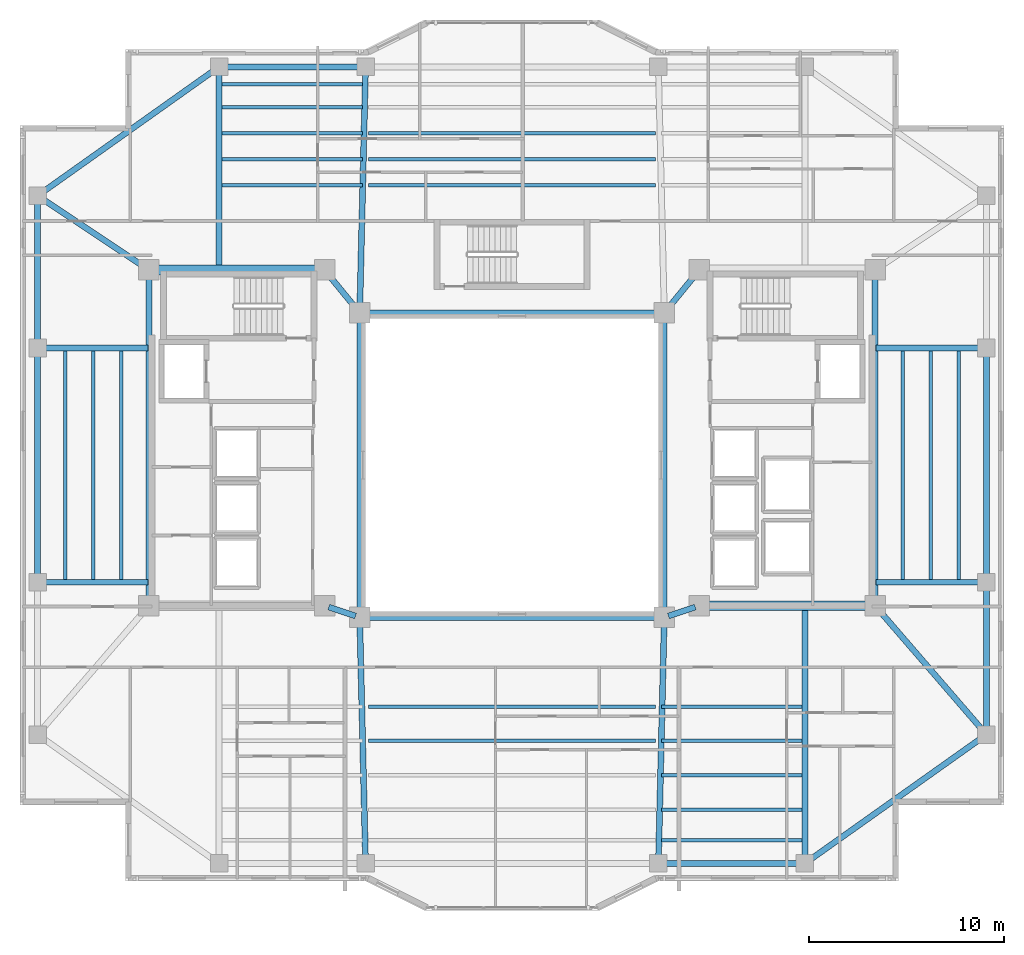
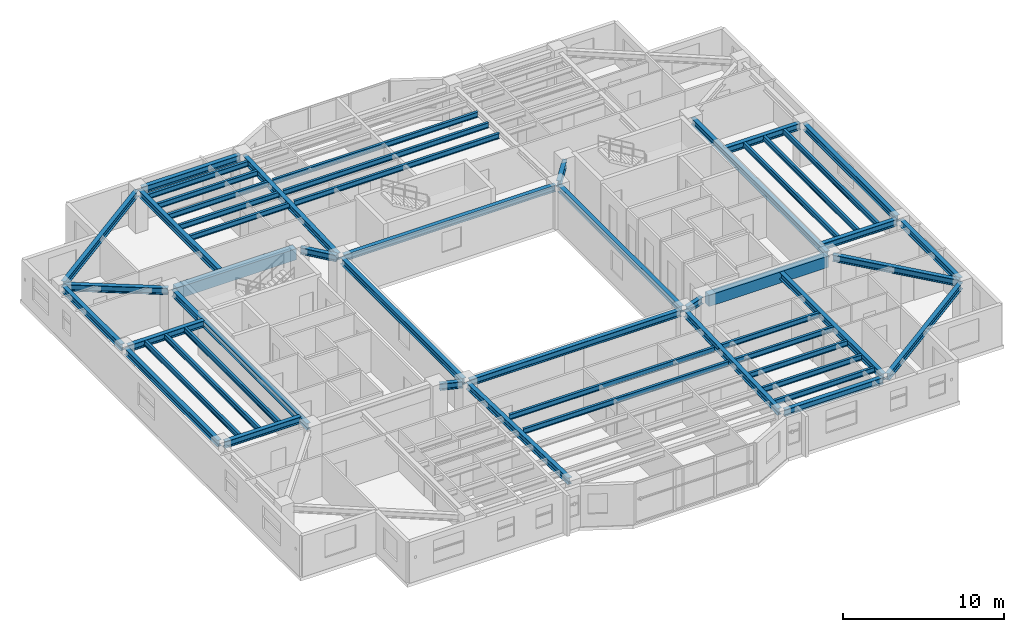
# One storey, part 3 of 15: 52 beams.
"""IFC4 building model written with IfcOpenShell, lengths in metres."""

from ifc_helpers import new_model, si_unit, direction, frame, origin, origin_2d, place, context, subcontext, project, spatial, rectangle, i_section, extrude, material, material_profile, profile_set, type_object, element, save


model = new_model("IFC4")

# Units and contexts
model_context = context("Model", 3, precision=1e-05, world=origin(), true_north=direction((0.0, 1.0)))
body_context = subcontext(model_context, "Body", "Model", "MODEL_VIEW")
ifc_project = project(units=[si_unit("LENGTHUNIT", "METRE"), si_unit("AREAUNIT", "SQUARE_METRE"), si_unit("VOLUMEUNIT", "CUBIC_METRE"), si_unit("PLANEANGLEUNIT", "RADIAN"), si_unit("MASSUNIT", "GRAM", prefix="KILO")], contexts=[model_context])

# Site, building, storey
site_placement = place(None, origin())
site = spatial("IfcSite", under=ifc_project, at=site_placement, CompositionType="ELEMENT")
building_placement = place(site_placement, origin())
building = spatial("IfcBuilding", under=site, at=building_placement, Name="Tarnavaz Court Tower", CompositionType="ELEMENT")
storey_placement = place(building_placement, frame((0.0, 0.0, 162.75)))
storey = spatial("IfcBuildingStorey", under=building, at=storey_placement, Name="L44", CompositionType="ELEMENT", Elevation=162.75)

# Beams
ifc_material_1 = material(Name="Concrete C50/60", Category="concrete")
ifc_material_profile_1 = material_profile(ifc_material_1, rectangle(XDim=0.5, YDim=0.85009765625, at=origin_2d()), Name="RC 500X850")
ifc_profile_set_1 = profile_set([ifc_material_profile_1], Name="Concrete C50/60")
beam_type_1 = type_object("IfcBeamType", Name="BM-CB850", PredefinedType="LINTEL", material=ifc_profile_set_1)
for number, where, z_axis, x_axis, name in (
    (1, (-18.3798828125, 10.0, 2.675048828125), (1.0, 0.0, 0.0), (0.0, 1.0, 0.0), "L44 Beam IN-CW-NO-CW-NI"),
    (2, (18.3798828125, -7.199951171875, 2.675048828125), (-1.0, 0.0, 0.0), (0.0, -1.0, 0.0), "L44 Beam IN-CE-SO-CE-SI"),
):
    element("IfcBeam", number, at=place(storey_placement, frame(where, z_axis=z_axis, x_axis=x_axis)), inside=storey, type_object=beam_type_1, Name=name, PredefinedType="LINTEL", context=body_context, shape_type="SweptSolid", body=[
        extrude(rectangle(XDim=0.5, YDim=0.85009765625, at=origin_2d()), origin(), (0.0, 0.0, 1.0), 8.559814453125),
    ])
ifc_material_2 = material(Name="Steel S355", Category="steel")
ifc_material_profile_2 = material_profile(ifc_material_2, i_section(OverallWidth=0.300048828125, OverallDepth=0.5, WebThickness=0.014404296875, FlangeThickness=0.028076171875, FilletRadius=0.027099609375, at=origin_2d()), Name="HEB 500")
ifc_profile_set_2 = profile_set([ifc_material_profile_2], Name="Steel S355")
beam_type_2 = type_object("IfcBeamType", Name="BM-G-HEB500", PredefinedType="USERDEFINED", material=ifc_profile_set_2)
for number, where, z_axis, x_axis, name in (
    (3, (-9.391357421875, -7.26953125, 2.85009765625), (0.948666544706, -0.316278021615, 0.0), (0.316278021615, 0.948666544706, 0.0), "L44 Beam IN-CW-SI-IW-SW"),
    (4, (9.391357421875, -7.26953125, 2.85009765625), (-0.948666544706, -0.316278021615, 0.0), (0.316278021615, -0.948666544706, 0.0), "L44 Beam IN-CE-SI-IW-SE"),
):
    element("IfcBeam", number, at=place(storey_placement, frame(where, z_axis=z_axis, x_axis=x_axis)), inside=storey, type_object=beam_type_2, Name=name, ObjectType="GIRDER", PredefinedType="USERDEFINED", context=body_context, shape_type="SweptSolid", body=[
        extrude(i_section(OverallWidth=0.300048828125, OverallDepth=0.5, WebThickness=0.014404296875, FlangeThickness=0.028076171875, FilletRadius=0.027099609375, at=origin_2d()), origin(), (0.0, 0.0, 1.0), 1.457275390625),
    ])
for number, where, z_axis, x_axis, name in (
    (5, (-9.460693359375, 9.82958984375, 2.85009765625), (0.633282058357, -0.773921077735, 0.0), (0.773921077735, 0.633282058357, 0.0), "L44 Beam IN-CW-NI-IW-NW"),
    (6, (9.460693359375, 9.82958984375, 2.85009765625), (-0.633282058357, -0.773921077735, 0.0), (0.773921077735, -0.633282058357, 0.0), "L44 Beam IN-CE-NI-IW-NE"),
):
    element("IfcBeam", number, at=place(storey_placement, frame(where, z_axis=z_axis, x_axis=x_axis)), inside=storey, type_object=beam_type_2, Name=name, ObjectType="GIRDER", PredefinedType="USERDEFINED", context=body_context, shape_type="SweptSolid", body=[
        extrude(i_section(OverallWidth=0.300048828125, OverallDepth=0.5, WebThickness=0.014404296875, FlangeThickness=0.028076171875, FilletRadius=0.027099609375, at=origin_2d()), origin(), (0.0, 0.0, 1.0), 2.402587890625),
    ])
for number, where, z_axis, x_axis, name in (
    (7, (-18.60009765625, -6.97998046875, 2.85009765625), (0.0, 1.0, 0.0), (-1.0, 0.0, 0.0), "L44 Beam IN-CW-SO-CW-NO"),
    (8, (18.60009765625, -6.97998046875, 2.85009765625), (0.0, 1.0, 0.0), (-1.0, 0.0, 0.0), "L44 Beam IN-CE-SO-CE-NO"),
):
    element("IfcBeam", number, at=place(storey_placement, frame(where, z_axis=z_axis, x_axis=x_axis)), inside=storey, type_object=beam_type_2, Name=name, ObjectType="GIRDER", PredefinedType="USERDEFINED", context=body_context, shape_type="SweptSolid", body=[
        extrude(i_section(OverallWidth=0.300048828125, OverallDepth=0.5, WebThickness=0.014404296875, FlangeThickness=0.028076171875, FilletRadius=0.027099609375, at=origin_2d()), origin(), (0.0, 0.0, 1.0), 16.760009765625),
    ])
beam_1_placement = place(storey_placement, frame((-15.0, 10.0400390625, 2.85009765625), z_axis=(0.0, 1.0, 0.0), x_axis=(-1.0, 0.0, 0.0)))
element("IfcBeam", 9, at=beam_1_placement, inside=storey, type_object=beam_type_2, Name="L44 Beam RG-01", ObjectType="GIRDER", PredefinedType="USERDEFINED", context=body_context, shape_type="SweptSolid", body=[
    extrude(i_section(OverallWidth=0.300048828125, OverallDepth=0.5, WebThickness=0.014404296875, FlangeThickness=0.028076171875, FilletRadius=0.027099609375, at=origin_2d()), origin(), (0.0, 0.0, 1.0), 10.139892578125),
])
for number, where, z_axis, x_axis, name in (
    (10, (-7.794921875, 8.02001953125, 2.85009765625), (0.023824748444, 0.999716150395, 0.0), (-0.999716150395, 0.023824748444, 0.0), "L44 Beam RG-02"),
    (11, (-7.794921875, -8.02001953125, 2.85009765625), (0.023824748444, -0.999716150395, 0.0), (0.999716150395, 0.023824748444, 0.0), "L44 Beam RG-06"),
    (12, (7.794921875, -8.02001953125, 2.85009765625), (-0.023824748444, -0.999716150395, 0.0), (0.999716150395, -0.023824748444, 0.0), "L44 Beam RG-07"),
):
    element("IfcBeam", number, at=place(storey_placement, frame(where, z_axis=z_axis, x_axis=x_axis)), inside=storey, type_object=beam_type_2, Name=name, ObjectType="GIRDER", PredefinedType="USERDEFINED", context=body_context, shape_type="SweptSolid", body=[
        extrude(i_section(OverallWidth=0.300048828125, OverallDepth=0.5, WebThickness=0.014404296875, FlangeThickness=0.028076171875, FilletRadius=0.027099609375, at=origin_2d()), origin(), (0.0, 0.0, 1.0), 12.16357421875),
    ])
beam_2_placement = place(storey_placement, frame((15.0, -7.239990234375, 2.85009765625), z_axis=(0.0, -1.0, 0.0), x_axis=(1.0, 0.0, 0.0)))
element("IfcBeam", 13, at=beam_2_placement, inside=storey, type_object=beam_type_2, Name="L44 Beam RG-08", ObjectType="GIRDER", PredefinedType="USERDEFINED", context=body_context, shape_type="SweptSolid", body=[
    extrude(i_section(OverallWidth=0.300048828125, OverallDepth=0.5, WebThickness=0.014404296875, FlangeThickness=0.028076171875, FilletRadius=0.027099609375, at=origin_2d()), origin(), (0.0, 0.0, 1.0), 12.93994140625),
])
for number, where, z_axis, x_axis, name in (
    (14, (18.639892578125, -6.0, 2.85009765625), (1.0, 0.0, 0.0), (0.0, 1.0, 0.0), "L44 Beam RG-09"),
    (15, (18.639892578125, 6.0, 2.85009765625), (1.0, 0.0, 0.0), (0.0, 1.0, 0.0), "L44 Beam RG-10"),
):
    element("IfcBeam", number, at=place(storey_placement, frame(where, z_axis=z_axis, x_axis=x_axis)), inside=storey, type_object=beam_type_2, Name=name, ObjectType="GIRDER", PredefinedType="USERDEFINED", context=body_context, shape_type="SweptSolid", body=[
        extrude(i_section(OverallWidth=0.300048828125, OverallDepth=0.5, WebThickness=0.014404296875, FlangeThickness=0.028076171875, FilletRadius=0.027099609375, at=origin_2d()), origin(), (0.0, 0.0, 1.0), 5.440185546875),
    ])
beam_3_placement = place(storey_placement, frame((18.743896484375, -7.366455078125, 2.85009765625), z_axis=(0.653610659012, -0.756830962914, 0.0), x_axis=(0.756830962914, 0.653610659012, 0.0)))
element("IfcBeam", 16, at=beam_3_placement, inside=storey, type_object=beam_type_2, Name="L44 Beam RG-11", ObjectType="GIRDER", PredefinedType="USERDEFINED", context=body_context, shape_type="SweptSolid", body=[
    extrude(i_section(OverallWidth=0.300048828125, OverallDepth=0.5, WebThickness=0.014404296875, FlangeThickness=0.028076171875, FilletRadius=0.027099609375, at=origin_2d()), origin(), (0.0, 0.0, 1.0), 8.28076171875),
])
for number, where, z_axis, x_axis, name in (
    (17, (-18.639892578125, -6.0, 2.85009765625), (-1.0, 0.0, 0.0), (0.0, -1.0, 0.0), "L44 Beam RG-13"),
    (18, (-18.639892578125, 6.0, 2.85009765625), (-1.0, 0.0, 0.0), (0.0, -1.0, 0.0), "L44 Beam RG-14"),
):
    element("IfcBeam", number, at=place(storey_placement, frame(where, z_axis=z_axis, x_axis=x_axis)), inside=storey, type_object=beam_type_2, Name=name, ObjectType="GIRDER", PredefinedType="USERDEFINED", context=body_context, shape_type="SweptSolid", body=[
        extrude(i_section(OverallWidth=0.300048828125, OverallDepth=0.5, WebThickness=0.014404296875, FlangeThickness=0.028076171875, FilletRadius=0.027099609375, at=origin_2d()), origin(), (0.0, 0.0, 1.0), 5.440185546875),
    ])
beam_4_placement = place(storey_placement, frame((-18.783203125, 10.1220703125, 2.85009765625), z_axis=(-0.832044435051, 0.554708985056, 0.0), x_axis=(-0.554708985056, -0.832044435051, 0.0)))
element("IfcBeam", 19, at=beam_4_placement, inside=storey, type_object=beam_type_2, Name="L44 Beam RG-16", ObjectType="GIRDER", PredefinedType="USERDEFINED", context=body_context, shape_type="SweptSolid", body=[
    extrude(i_section(OverallWidth=0.300048828125, OverallDepth=0.5, WebThickness=0.014404296875, FlangeThickness=0.028076171875, FilletRadius=0.027099609375, at=origin_2d()), origin(), (0.0, 0.0, 1.0), 6.410400390625),
])
ifc_material_profile_3 = material_profile(ifc_material_2, i_section(OverallWidth=0.179931640625, OverallDepth=0.39990234375, WebThickness=0.008544921875, FlangeThickness=0.013427734375, FilletRadius=0.02099609375, at=origin_2d()), Name="IPE 400")
ifc_profile_set_3 = profile_set([ifc_material_profile_3], Name="Steel S355")
beam_type_3 = type_object("IfcBeamType", Name="BM-J-IPE400", PredefinedType="JOIST", material=ifc_profile_set_3)
beam_5_placement = place(storey_placement, frame((-14.85009765625, 14.33203125, 2.89990234375), z_axis=(1.0, 0.0, 0.0), x_axis=(0.0, 1.0, 0.0)))
element("IfcBeam", 20, at=beam_5_placement, inside=storey, type_object=beam_type_3, Name="L44 Beam JN1-1", PredefinedType="JOIST", context=body_context, shape_type="SweptSolid", body=[
    extrude(i_section(OverallWidth=0.179931640625, OverallDepth=0.39990234375, WebThickness=0.008544921875, FlangeThickness=0.013427734375, FilletRadius=0.02099609375, at=origin_2d()), origin(), (0.0, 0.0, 1.0), 7.2001953125),
])
for number, where, z_axis, x_axis, name in (
    (21, (-7.35009765625, 14.33203125, 2.89990234375), (1.0, 0.0, 0.0), (0.0, 1.0, 0.0), "L44 Beam JN1-2"),
    (22, (-7.35009765625, -12.364013671875, 2.89990234375), (1.0, 0.0, 0.0), (0.0, 1.0, 0.0), "L44 Beam JS1-2"),
):
    element("IfcBeam", number, at=place(storey_placement, frame(where, z_axis=z_axis, x_axis=x_axis)), inside=storey, type_object=beam_type_3, Name=name, PredefinedType="JOIST", context=body_context, shape_type="SweptSolid", body=[
        extrude(i_section(OverallWidth=0.179931640625, OverallDepth=0.39990234375, WebThickness=0.008544921875, FlangeThickness=0.013427734375, FilletRadius=0.02099609375, at=origin_2d()), origin(), (0.0, 0.0, 1.0), 14.7001953125),
    ])
for number, where, z_axis, x_axis, name in (
    (23, (7.64990234375, -12.364013671875, 2.89990234375), (1.0, 0.0, 0.0), (0.0, 1.0, 0.0), "L44 Beam JS1-3"),
    (24, (-14.85009765625, 15.6640625, 2.89990234375), (1.0, 0.0, 0.0), (0.0, 1.0, 0.0), "L44 Beam JN2-1"),
):
    element("IfcBeam", number, at=place(storey_placement, frame(where, z_axis=z_axis, x_axis=x_axis)), inside=storey, type_object=beam_type_3, Name=name, PredefinedType="JOIST", context=body_context, shape_type="SweptSolid", body=[
        extrude(i_section(OverallWidth=0.179931640625, OverallDepth=0.39990234375, WebThickness=0.008544921875, FlangeThickness=0.013427734375, FilletRadius=0.02099609375, at=origin_2d()), origin(), (0.0, 0.0, 1.0), 7.2001953125),
    ])
for number, where, z_axis, x_axis, name in (
    (25, (-7.35009765625, 15.6640625, 2.89990234375), (1.0, 0.0, 0.0), (0.0, 1.0, 0.0), "L44 Beam JN2-2"),
    (26, (-7.35009765625, -14.1279296875, 2.89990234375), (1.0, 0.0, 0.0), (0.0, 1.0, 0.0), "L44 Beam JS2-2"),
):
    element("IfcBeam", number, at=place(storey_placement, frame(where, z_axis=z_axis, x_axis=x_axis)), inside=storey, type_object=beam_type_3, Name=name, PredefinedType="JOIST", context=body_context, shape_type="SweptSolid", body=[
        extrude(i_section(OverallWidth=0.179931640625, OverallDepth=0.39990234375, WebThickness=0.008544921875, FlangeThickness=0.013427734375, FilletRadius=0.02099609375, at=origin_2d()), origin(), (0.0, 0.0, 1.0), 14.7001953125),
    ])
for number, where, z_axis, x_axis, name in (
    (27, (7.64990234375, -14.1279296875, 2.89990234375), (1.0, 0.0, 0.0), (0.0, 1.0, 0.0), "L44 Beam JS2-3"),
    (28, (-14.85009765625, 16.99609375, 2.89990234375), (1.0, 0.0, 0.0), (0.0, 1.0, 0.0), "L44 Beam JN3-1"),
):
    element("IfcBeam", number, at=place(storey_placement, frame(where, z_axis=z_axis, x_axis=x_axis)), inside=storey, type_object=beam_type_3, Name=name, PredefinedType="JOIST", context=body_context, shape_type="SweptSolid", body=[
        extrude(i_section(OverallWidth=0.179931640625, OverallDepth=0.39990234375, WebThickness=0.008544921875, FlangeThickness=0.013427734375, FilletRadius=0.02099609375, at=origin_2d()), origin(), (0.0, 0.0, 1.0), 7.2001953125),
    ])
beam_6_placement = place(storey_placement, frame((-7.35009765625, 16.99609375, 2.89990234375), z_axis=(1.0, 0.0, 0.0), x_axis=(0.0, 1.0, 0.0)))
element("IfcBeam", 29, at=beam_6_placement, inside=storey, type_object=beam_type_3, Name="L44 Beam JN3-2", PredefinedType="JOIST", context=body_context, shape_type="SweptSolid", body=[
    extrude(i_section(OverallWidth=0.179931640625, OverallDepth=0.39990234375, WebThickness=0.008544921875, FlangeThickness=0.013427734375, FilletRadius=0.02099609375, at=origin_2d()), origin(), (0.0, 0.0, 1.0), 14.7001953125),
])
for number, where, z_axis, x_axis, name in (
    (30, (7.64990234375, -15.89208984375, 2.89990234375), (1.0, 0.0, 0.0), (0.0, 1.0, 0.0), "L44 Beam JS3-3"),
    (31, (-14.85009765625, 18.327880859375, 2.89990234375), (1.0, 0.0, 0.0), (0.0, 1.0, 0.0), "L44 Beam JN4-1"),
    (32, (7.64990234375, -17.656005859375, 2.89990234375), (1.0, 0.0, 0.0), (0.0, 1.0, 0.0), "L44 Beam JS4-3"),
    (33, (-14.85009765625, 19.511962890625, 2.89990234375), (1.0, 0.0, 0.0), (0.0, 1.0, 0.0), "L44 Beam JN5-1"),
    (34, (7.64990234375, -19.22412109375, 2.89990234375), (1.0, 0.0, 0.0), (0.0, 1.0, 0.0), "L44 Beam JS5-3"),
):
    element("IfcBeam", number, at=place(storey_placement, frame(where, z_axis=z_axis, x_axis=x_axis)), inside=storey, type_object=beam_type_3, Name=name, PredefinedType="JOIST", context=body_context, shape_type="SweptSolid", body=[
        extrude(i_section(OverallWidth=0.179931640625, OverallDepth=0.39990234375, WebThickness=0.008544921875, FlangeThickness=0.013427734375, FilletRadius=0.02099609375, at=origin_2d()), origin(), (0.0, 0.0, 1.0), 7.2001953125),
    ])
for number, where, z_axis, x_axis, name in (
    (35, (20.02490234375, -5.9599609375, 2.89990234375), (0.0, 1.0, 0.0), (-1.0, 0.0, 0.0), "L44 Beam JE1"),
    (36, (-20.02490234375, -5.9599609375, 2.89990234375), (0.0, 1.0, 0.0), (-1.0, 0.0, 0.0), "L44 Beam JW1"),
    (37, (21.449951171875, -5.9599609375, 2.89990234375), (0.0, 1.0, 0.0), (-1.0, 0.0, 0.0), "L44 Beam JE2"),
    (38, (-21.449951171875, -5.9599609375, 2.89990234375), (0.0, 1.0, 0.0), (-1.0, 0.0, 0.0), "L44 Beam JW2"),
    (39, (22.875, -5.9599609375, 2.89990234375), (0.0, 1.0, 0.0), (-1.0, 0.0, 0.0), "L44 Beam JE3"),
    (40, (-22.875, -5.9599609375, 2.89990234375), (0.0, 1.0, 0.0), (-1.0, 0.0, 0.0), "L44 Beam JW3"),
):
    element("IfcBeam", number, at=place(storey_placement, frame(where, z_axis=z_axis, x_axis=x_axis)), inside=storey, type_object=beam_type_3, Name=name, PredefinedType="JOIST", context=body_context, shape_type="SweptSolid", body=[
        extrude(i_section(OverallWidth=0.179931640625, OverallDepth=0.39990234375, WebThickness=0.008544921875, FlangeThickness=0.013427734375, FilletRadius=0.02099609375, at=origin_2d()), origin(), (0.0, 0.0, 1.0), 11.919921875),
    ])
ifc_material_profile_4 = material_profile(ifc_material_2, i_section(OverallWidth=0.300048828125, OverallDepth=0.489990234375, WebThickness=0.011962890625, FlangeThickness=0.02294921875, FilletRadius=0.027099609375, at=origin_2d()), Name="HEA 500")
ifc_profile_set_4 = profile_set([ifc_material_profile_4], Name="Steel S355")
beam_type_4 = type_object("IfcBeamType", Name="BM-SP-HEA500", PredefinedType="SPANDREL", material=ifc_profile_set_4)
for number, where, z_axis, x_axis, name in (
    (41, (-7.580078125, -7.800048828125, 2.85498046875), (1.0, 0.0, 0.0), (0.0, 1.0, 0.0), "L44 Beam IN-IW-SW-IW-SE"),
    (42, (-7.580078125, 7.800048828125, 2.85498046875), (1.0, 0.0, 0.0), (0.0, 1.0, 0.0), "L44 Beam IN-IW-NW-IW-NE"),
    (43, (-7.800048828125, -7.580078125, 2.85498046875), (0.0, 1.0, 0.0), (-1.0, 0.0, 0.0), "L44 Beam IN-IW-SW-IW-NW"),
    (44, (7.800048828125, -7.580078125, 2.85498046875), (0.0, 1.0, 0.0), (-1.0, 0.0, 0.0), "L44 Beam IN-IW-SE-IW-NE"),
):
    element("IfcBeam", number, at=place(storey_placement, frame(where, z_axis=z_axis, x_axis=x_axis)), inside=storey, type_object=beam_type_4, Name=name, PredefinedType="SPANDREL", context=body_context, shape_type="SweptSolid", body=[
        extrude(i_section(OverallWidth=0.300048828125, OverallDepth=0.489990234375, WebThickness=0.011962890625, FlangeThickness=0.02294921875, FilletRadius=0.027099609375, at=origin_2d()), origin(), (0.0, 0.0, 1.0), 15.16015625),
    ])
for number, where, z_axis, x_axis, name in (
    (45, (-14.780029296875, 20.39990234375, 2.85498046875), (1.0, 0.0, 0.0), (0.0, 1.0, 0.0), "L44 Beam PR-PN-1-PN-2"),
    (46, (7.719970703125, -20.39990234375, 2.85498046875), (1.0, 0.0, 0.0), (0.0, 1.0, 0.0), "L44 Beam PR-PS-3-PS-4"),
):
    element("IfcBeam", number, at=place(storey_placement, frame(where, z_axis=z_axis, x_axis=x_axis)), inside=storey, type_object=beam_type_4, Name=name, PredefinedType="SPANDREL", context=body_context, shape_type="SweptSolid", body=[
        extrude(i_section(OverallWidth=0.300048828125, OverallDepth=0.489990234375, WebThickness=0.011962890625, FlangeThickness=0.02294921875, FilletRadius=0.027099609375, at=origin_2d()), origin(), (0.0, 0.0, 1.0), 7.06005859375),
    ])
beam_7_placement = place(storey_placement, frame((24.300048828125, -13.580078125, 2.85498046875), z_axis=(0.0, 1.0, 0.0), x_axis=(-1.0, 0.0, 0.0)))
element("IfcBeam", 47, at=beam_7_placement, inside=storey, type_object=beam_type_4, Name="L44 Beam PR-PE-1-PE-2", PredefinedType="SPANDREL", context=body_context, shape_type="SweptSolid", body=[
    extrude(i_section(OverallWidth=0.300048828125, OverallDepth=0.489990234375, WebThickness=0.011962890625, FlangeThickness=0.02294921875, FilletRadius=0.027099609375, at=origin_2d()), origin(), (0.0, 0.0, 1.0), 7.360107421875),
])
for number, where, z_axis, x_axis, name in (
    (48, (24.300048828125, -5.780029296875, 2.85498046875), (0.0, 1.0, 0.0), (-1.0, 0.0, 0.0), "L44 Beam PR-PE-2-PE-3"),
    (49, (-24.300048828125, -5.780029296875, 2.85498046875), (0.0, 1.0, 0.0), (-1.0, 0.0, 0.0), "L44 Beam PR-PW-2-PW-3"),
):
    element("IfcBeam", number, at=place(storey_placement, frame(where, z_axis=z_axis, x_axis=x_axis)), inside=storey, type_object=beam_type_4, Name=name, PredefinedType="SPANDREL", context=body_context, shape_type="SweptSolid", body=[
        extrude(i_section(OverallWidth=0.300048828125, OverallDepth=0.489990234375, WebThickness=0.011962890625, FlangeThickness=0.02294921875, FilletRadius=0.027099609375, at=origin_2d()), origin(), (0.0, 0.0, 1.0), 11.56005859375),
    ])
beam_8_placement = place(storey_placement, frame((-24.300048828125, 6.219970703125, 2.85498046875), z_axis=(0.0, 1.0, 0.0), x_axis=(-1.0, 0.0, 0.0)))
element("IfcBeam", 50, at=beam_8_placement, inside=storey, type_object=beam_type_4, Name="L44 Beam PR-PW-3-PW-4", PredefinedType="SPANDREL", context=body_context, shape_type="SweptSolid", body=[
    extrude(i_section(OverallWidth=0.300048828125, OverallDepth=0.489990234375, WebThickness=0.011962890625, FlangeThickness=0.02294921875, FilletRadius=0.027099609375, at=origin_2d()), origin(), (0.0, 0.0, 1.0), 7.360107421875),
])
for number, where, z_axis, x_axis, name in (
    (51, (24.12060546875, -13.92724609375, 2.85498046875), (-0.815502059396, -0.57875417158, 0.0), (0.57875417158, -0.815502059396, 0.0), "L44 Beam PR-PE-1-PS-4"),
    (52, (-24.12060546875, 13.92724609375, 2.85498046875), (0.815502059396, 0.57875417158, 0.0), (-0.57875417158, 0.815502059396, 0.0), "L44 Beam PR-PW-4-PN-1"),
):
    element("IfcBeam", number, at=place(storey_placement, frame(where, z_axis=z_axis, x_axis=x_axis)), inside=storey, type_object=beam_type_4, Name=name, PredefinedType="SPANDREL", context=body_context, shape_type="SweptSolid", body=[
        extrude(i_section(OverallWidth=0.300048828125, OverallDepth=0.489990234375, WebThickness=0.011962890625, FlangeThickness=0.02294921875, FilletRadius=0.027099609375, at=origin_2d()), origin(), (0.0, 0.0, 1.0), 10.964111328125),
    ])

save(model, "model.ifc")
